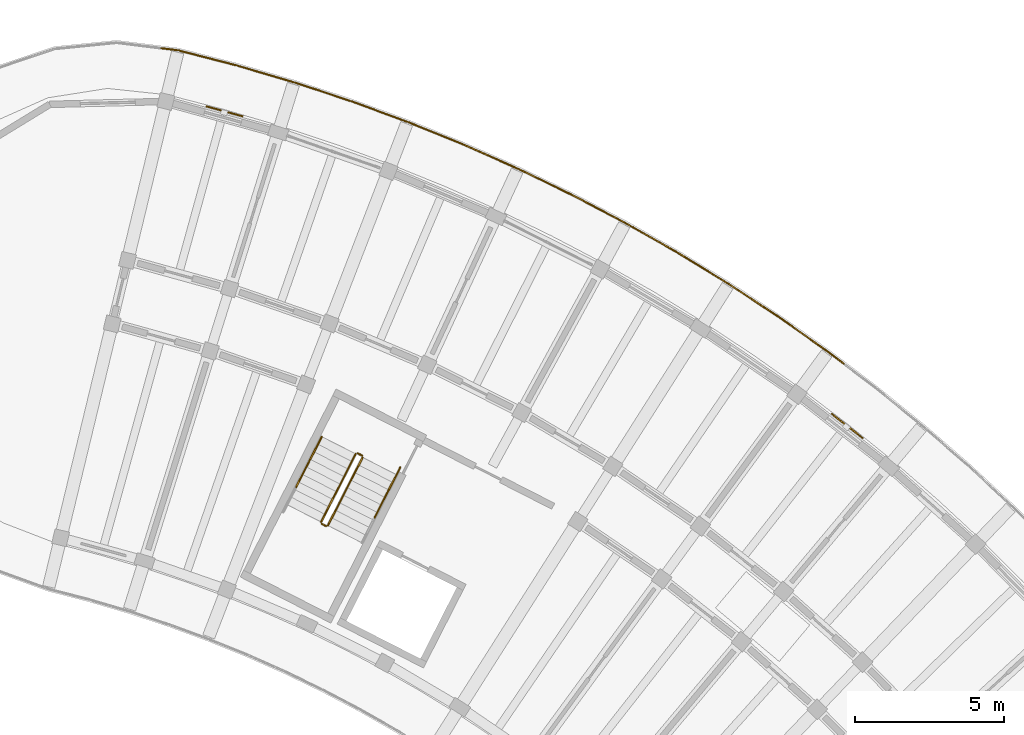
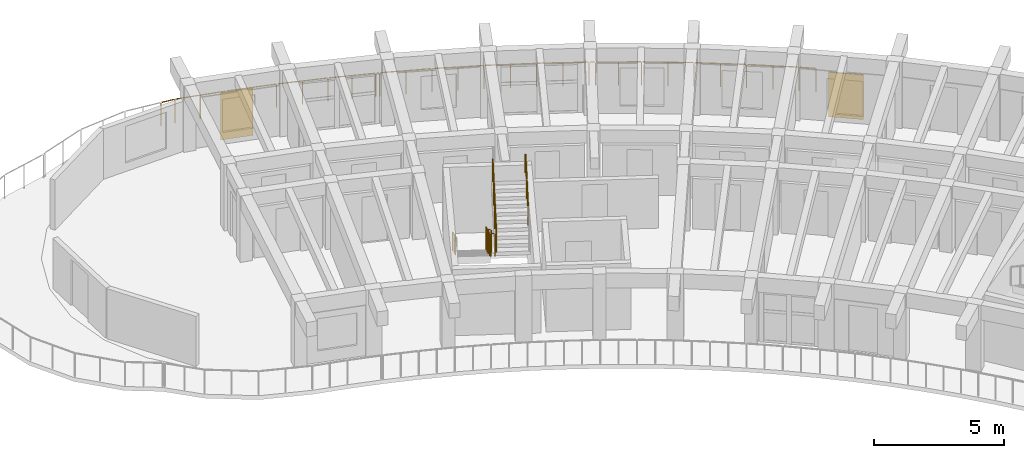
# One storey, part 61 of 62: 11 railings, 2 shading devices.
"""IFC4 building model written with IfcOpenShell, lengths in metres."""

from ifc_helpers import new_model, si_unit, direction, frame, origin, origin_2d, place, context, subcontext, project, spatial, rectangle, circle, extrude, material, layer, layer_set, type_object, element, save


model = new_model("IFC4")

# Units and contexts
model_context = context("Model", 3, precision=1e-05, world=origin(), true_north=direction((0.0, 1.0)))
body_context = subcontext(model_context, "Body", "Model", "MODEL_VIEW")
ifc_project = project(units=[si_unit("LENGTHUNIT", "METRE"), si_unit("AREAUNIT", "SQUARE_METRE"), si_unit("VOLUMEUNIT", "CUBIC_METRE"), si_unit("PLANEANGLEUNIT", "RADIAN"), si_unit("MASSUNIT", "GRAM", prefix="KILO")], contexts=[model_context])

# Site, building, storey
site_placement = place(None, origin())
site = spatial("IfcSite", under=ifc_project, at=site_placement, CompositionType="ELEMENT")
building_placement = place(site_placement, origin())
building = spatial("IfcBuilding", under=site, at=building_placement, Name="Tanwirah Colonnade Gardens", CompositionType="ELEMENT")
storey_placement = place(building_placement, frame((0.0, 0.0, 32.360107421875)))
storey = spatial("IfcBuildingStorey", under=building, at=storey_placement, Name="L09", CompositionType="ELEMENT", Elevation=32.360107421875)

# Railings
ifc_material_1 = material(Name="Precast concrete C40/50", Category="concrete")
railing_type_1 = type_object("IfcRailingType", Name="BAL-EXT112", PredefinedType="BALUSTRADE", material=ifc_material_1)
railing_1_placement = place(storey_placement, frame((134.801513671875, 119.8828125, 0.0)))
element("IfcRailing", 1, at=railing_1_placement, inside=storey, type_object=railing_type_1, Name="Block B L09 Balcony Ribbon Balustrade 10", PredefinedType="BALUSTRADE", context=body_context, shape_type="SweptSolid", body=[
    extrude(circle(Radius=0.02392578125, at=origin_2d()), frame((0.031005859375, -0.00390625, 1.09619140625), z_axis=(0.992245432404, -0.124294013826, 0.0), x_axis=(0.124294013826, 0.992245432404, 0.0)), (0.0, 0.0, 1.0), 0.516845703125),
    extrude(circle(Radius=0.02392578125, at=origin_2d()), frame((0.605224609375, -0.079833984375, 1.09619140625), z_axis=(0.968153485753, -0.250357400578, 0.0), x_axis=(0.250357400578, 0.968153485753, 0.0)), (0.0, 0.0, 1.0), 1.955078125),
    extrude(circle(Radius=0.02392578125, at=origin_2d()), frame((2.558349609375, -0.5859375, 1.09619140625), z_axis=(0.959371271211, -0.282146706477, 0.0), x_axis=(0.282146706477, 0.959371271211, 0.0)), (0.0, 0.0, 1.0), 1.958740234375),
    extrude(circle(Radius=0.02392578125, at=origin_2d()), frame((4.497314453125, -1.1572265625, 1.09619140625), z_axis=(0.949537316482, -0.313654084317, 0.0), x_axis=(0.313654084317, 0.949537316482, 0.0)), (0.0, 0.0, 1.0), 1.958984375),
    extrude(circle(Radius=0.02392578125, at=origin_2d()), frame((6.416259765625, -1.792236328125, 1.09619140625), z_axis=(0.938696628959, -0.344744309279, 0.0), x_axis=(0.344744309279, 0.938696628959, 0.0)), (0.0, 0.0, 1.0), 1.7978515625),
    extrude(circle(Radius=0.02099609375, at=origin_2d()), origin(), (0.0, 0.0, 1.0), 1.069091796875),
    extrude(circle(Radius=0.02099609375, at=origin_2d()), frame((0.574951171875, -0.072021484375, 0.0)), (0.0, 0.0, 1.0), 1.069091796875),
    extrude(circle(Radius=0.02099609375, at=origin_2d()), frame((1.5517578125, -0.32470703125, 0.0)), (0.0, 0.0, 1.0), 1.069091796875),
    extrude(circle(Radius=0.02099609375, at=origin_2d()), frame((2.5283203125, -0.5771484375, 0.0)), (0.0, 0.0, 1.0), 1.069091796875),
    extrude(circle(Radius=0.02099609375, at=origin_2d()), frame((3.498046875, -0.8623046875, 0.0)), (0.0, 0.0, 1.0), 1.069091796875),
    extrude(circle(Radius=0.02099609375, at=origin_2d()), frame((4.467529296875, -1.1474609375, 0.0)), (0.0, 0.0, 1.0), 1.069091796875),
    extrude(circle(Radius=0.02099609375, at=origin_2d()), frame((5.42724609375, -1.46435546875, 0.0)), (0.0, 0.0, 1.0), 1.069091796875),
    extrude(circle(Radius=0.02099609375, at=origin_2d()), frame((6.386962890625, -1.781494140625, 0.0)), (0.0, 0.0, 1.0), 1.069091796875),
    extrude(circle(Radius=0.02099609375, at=origin_2d()), frame((7.26025390625, -2.10205078125, 0.0)), (0.0, 0.0, 1.0), 1.069091796875),
    extrude(circle(Radius=0.02099609375, at=origin_2d()), frame((8.13330078125, -2.4228515625, 0.0)), (0.0, 0.0, 1.0), 1.069091796875),
])
railing_2_placement = place(storey_placement, frame((142.934814453125, 117.4599609375, 0.0)))
element("IfcRailing", 2, at=railing_2_placement, inside=storey, type_object=railing_type_1, Name="Block B L09 Balcony Ribbon Balustrade 11", PredefinedType="BALUSTRADE", context=body_context, shape_type="SweptSolid", body=[
    extrude(circle(Radius=0.02392578125, at=origin_2d()), frame((0.029296875, -0.0107421875, 1.09619140625), z_axis=(0.939039387459, -0.343809582183, 0.0), x_axis=(0.343809582183, 0.939039387459, 0.0)), (0.0, 0.0, 1.0), 0.0986328125),
    extrude(circle(Radius=0.02392578125, at=origin_2d()), frame((0.180419921875, -0.067138671875, 1.09619140625), z_axis=(0.926784720453, -0.375592973757, 0.0), x_axis=(0.375592973757, 0.926784720453, 0.0)), (0.0, 0.0, 1.0), 1.958984375),
    extrude(circle(Radius=0.02392578125, at=origin_2d()), frame((2.053466796875, -0.827392578125, 1.09619140625), z_axis=(0.913950953394, -0.405824660156, 0.0), x_axis=(0.405824660156, 0.913950953394, 0.0)), (0.0, 0.0, 1.0), 1.958740234375),
    extrude(circle(Radius=0.02392578125, at=origin_2d()), frame((3.900390625, -1.648681640625, 1.09619140625), z_axis=(0.900055350621, -0.435775591122, 0.0), x_axis=(0.435775591122, 0.900055350621, 0.0)), (0.0, 0.0, 1.0), 1.958740234375),
    extrude(circle(Radius=0.02392578125, at=origin_2d()), frame((5.71923828125, -2.530517578125, 1.09619140625), z_axis=(0.885211446817, -0.465188880374, 0.0), x_axis=(0.465188880374, 0.885211446817, 0.0)), (0.0, 0.0, 1.0), 1.958984375),
    extrude(circle(Radius=0.02392578125, at=origin_2d()), frame((7.50830078125, -3.4716796875, 1.09619140625), z_axis=(0.869192458809, -0.494473932123, 0.0), x_axis=(0.494473932123, 0.869192458809, 0.0)), (0.0, 0.0, 1.0), 0.190185546875),
    extrude(circle(Radius=0.02099609375, at=origin_2d()), origin(), (0.0, 0.0, 1.0), 1.069091796875),
    extrude(circle(Radius=0.02099609375, at=origin_2d()), frame((0.1513671875, -0.055419921875, 0.0)), (0.0, 0.0, 1.0), 1.069091796875),
    extrude(circle(Radius=0.02099609375, at=origin_2d()), frame((1.088134765625, -0.43505859375, 0.0)), (0.0, 0.0, 1.0), 1.069091796875),
    extrude(circle(Radius=0.02099609375, at=origin_2d()), frame((2.02490234375, -0.814697265625, 0.0)), (0.0, 0.0, 1.0), 1.069091796875),
    extrude(circle(Radius=0.02099609375, at=origin_2d()), frame((2.94873046875, -1.224853515625, 0.0)), (0.0, 0.0, 1.0), 1.069091796875),
    extrude(circle(Radius=0.02099609375, at=origin_2d()), frame((3.872314453125, -1.635009765625, 0.0)), (0.0, 0.0, 1.0), 1.069091796875),
    extrude(circle(Radius=0.02099609375, at=origin_2d()), frame((4.781982421875, -2.075439453125, 0.0)), (0.0, 0.0, 1.0), 1.069091796875),
    extrude(circle(Radius=0.02099609375, at=origin_2d()), frame((5.691650390625, -2.515869140625, 0.0)), (0.0, 0.0, 1.0), 1.069091796875),
    extrude(circle(Radius=0.02099609375, at=origin_2d()), frame((6.58642578125, -2.986083984375, 0.0)), (0.0, 0.0, 1.0), 1.069091796875),
    extrude(circle(Radius=0.02099609375, at=origin_2d()), frame((7.481201171875, -3.456298828125, 0.0)), (0.0, 0.0, 1.0), 1.069091796875),
    extrude(circle(Radius=0.02099609375, at=origin_2d()), frame((7.700927734375, -3.581298828125, 0.0)), (0.0, 0.0, 1.0), 1.069091796875),
])
railing_3_placement = place(storey_placement, frame((150.6357421875, 113.878662109375, 0.0)))
element("IfcRailing", 3, at=railing_3_placement, inside=storey, type_object=railing_type_1, Name="Block B L09 Balcony Ribbon Balustrade 12", PredefinedType="BALUSTRADE", context=body_context, shape_type="SweptSolid", body=[
    extrude(circle(Radius=0.02392578125, at=origin_2d()), frame((0.027099609375, -0.015380859375, 1.09619140625), z_axis=(0.869421517835, -0.494071072139, 0.0), x_axis=(0.494071072139, 0.869421517835, 0.0)), (0.0, 0.0, 1.0), 1.7060546875),
    extrude(circle(Radius=0.02392578125, at=origin_2d()), frame((1.564208984375, -0.89013671875, 1.09619140625), z_axis=(0.852660263329, -0.522465764754, 0.0), x_axis=(0.522465764754, 0.852660263329, 0.0)), (0.0, 0.0, 1.0), 1.958984375),
    extrude(circle(Radius=0.02392578125, at=origin_2d()), frame((3.287353515625, -1.947021484375, 1.09619140625), z_axis=(0.834955682369, -0.550317188973, 0.0), x_axis=(0.550317188973, 0.834955682369, 0.0)), (0.0, 0.0, 1.0), 1.959228515625),
    extrude(circle(Radius=0.02392578125, at=origin_2d()), frame((4.974853515625, -3.060546875, 1.09619140625), z_axis=(0.816344803849, -0.577564854565, 0.0), x_axis=(0.577564854565, 0.816344803849, 0.0)), (0.0, 0.0, 1.0), 1.958740234375),
    extrude(circle(Radius=0.02392578125, at=origin_2d()), frame((6.624267578125, -4.228759765625, 1.09619140625), z_axis=(0.796958639348, -0.604033879157, 0.0), x_axis=(0.604033879157, 0.796958639348, 0.0)), (0.0, 0.0, 1.0), 0.6044921875),
    extrude(circle(Radius=0.02099609375, at=origin_2d()), origin(), (0.0, 0.0, 1.0), 1.069091796875),
    extrude(circle(Radius=0.02099609375, at=origin_2d()), frame((0.768798828125, -0.43701171875, 0.0)), (0.0, 0.0, 1.0), 1.069091796875),
    extrude(circle(Radius=0.02099609375, at=origin_2d()), frame((1.53759765625, -0.873779296875, 0.0)), (0.0, 0.0, 1.0), 1.069091796875),
    extrude(circle(Radius=0.02099609375, at=origin_2d()), frame((2.3994140625, -1.40185546875, 0.0)), (0.0, 0.0, 1.0), 1.069091796875),
    extrude(circle(Radius=0.02099609375, at=origin_2d()), frame((3.26123046875, -1.929931640625, 0.0)), (0.0, 0.0, 1.0), 1.069091796875),
    extrude(circle(Radius=0.02099609375, at=origin_2d()), frame((4.105224609375, -2.486328125, 0.0)), (0.0, 0.0, 1.0), 1.069091796875),
    extrude(circle(Radius=0.02099609375, at=origin_2d()), frame((4.94921875, -3.04248046875, 0.0)), (0.0, 0.0, 1.0), 1.069091796875),
    extrude(circle(Radius=0.02099609375, at=origin_2d()), frame((5.7744140625, -3.626220703125, 0.0)), (0.0, 0.0, 1.0), 1.069091796875),
    extrude(circle(Radius=0.02099609375, at=origin_2d()), frame((6.599365234375, -4.2099609375, 0.0)), (0.0, 0.0, 1.0), 1.069091796875),
    extrude(circle(Radius=0.02099609375, at=origin_2d()), frame((7.130859375, -4.61279296875, 0.0)), (0.0, 0.0, 1.0), 1.069091796875),
])
ifc_material_2 = material(Name="Powder-coated galvanized steel", Category="steel")
railing_type_2 = type_object("IfcRailingType", Name="GRD-ST110", PredefinedType="GUARDRAIL", material=ifc_material_2)
railing_4_placement = place(storey_placement, frame((141.344970703125, 106.230712890625, 0.16796875)))
element("IfcRailing", 4, at=railing_4_placement, inside=storey, type_object=railing_type_2, Name="L09 ST-B2 stair guard 1", PredefinedType="GUARDRAIL", context=body_context, shape_type="SweptSolid", body=[
    extrude(circle(Radius=0.02392578125, at=origin_2d()), frame((-0.01220703125, -0.02392578125, 1.092041015625), z_axis=(-0.3911222872, -0.767567239095, 0.507803003067), x_axis=(0.890993730975, -0.45401560696, 0.0)), (0.0, 0.0, 1.0), 2.9150390625),
    extrude(circle(Radius=0.02099609375, at=origin_2d()), origin(), (0.0, 0.0, 1.0), 1.049072265625),
    extrude(circle(Radius=0.02099609375, at=origin_2d()), frame((-0.38818359375, -0.76171875, 0.50390625)), (0.0, 0.0, 1.0), 1.049072265625),
    extrude(circle(Radius=0.02099609375, at=origin_2d()), frame((-0.7763671875, -1.523681640625, 1.008056640625)), (0.0, 0.0, 1.0), 1.049072265625),
    extrude(circle(Radius=0.02099609375, at=origin_2d()), frame((-1.16455078125, -2.285400390625, 1.511962890625)), (0.0, 0.0, 1.0), 1.049072265625),
])
railing_5_placement = place(storey_placement, frame((140.202392578125, 103.8779296875, 1.679931640625)))
element("IfcRailing", 5, at=railing_5_placement, inside=storey, type_object=railing_type_2, Name="L09 ST-B2 stair guard 2", PredefinedType="GUARDRAIL", context=body_context, shape_type="SweptSolid", body=[
    extrude(circle(Radius=0.02392578125, at=origin_2d()), frame((0.02783203125, -0.01416015625, 1.076171875), z_axis=(0.891353773095, -0.453308340084, 0.0), x_axis=(0.453308340084, 0.891353773095, 0.0)), (0.0, 0.0, 1.0), 0.097412109375),
    extrude(circle(Radius=0.02099609375, at=origin_2d()), origin(), (0.0, 0.0, 1.0), 1.049072265625),
    extrude(circle(Radius=0.02099609375, at=origin_2d()), frame((0.142578125, -0.072509765625, 0.0)), (0.0, 0.0, 1.0), 1.049072265625),
])
railing_6_placement = place(storey_placement, frame((140.412109375, 103.8271484375, 1.847900390625)))
element("IfcRailing", 6, at=railing_6_placement, inside=storey, type_object=railing_type_2, Name="L09 ST-B2 stair guard 3", PredefinedType="GUARDRAIL", context=body_context, shape_type="SweptSolid", body=[
    extrude(circle(Radius=0.02392578125, at=origin_2d()), frame((0.01220703125, 0.02392578125, 1.092041015625), z_axis=(0.3911222872, 0.767567239095, 0.507803003067), x_axis=(-0.890993730975, 0.45401560696, 0.0)), (0.0, 0.0, 1.0), 2.9150390625),
    extrude(circle(Radius=0.02099609375, at=origin_2d()), origin(), (0.0, 0.0, 1.0), 1.049072265625),
    extrude(circle(Radius=0.02099609375, at=origin_2d()), frame((0.38818359375, 0.76171875, 0.50390625)), (0.0, 0.0, 1.0), 1.049072265625),
    extrude(circle(Radius=0.02099609375, at=origin_2d()), frame((0.7763671875, 1.523681640625, 1.008056640625)), (0.0, 0.0, 1.0), 1.049072265625),
    extrude(circle(Radius=0.02099609375, at=origin_2d()), frame((1.16455078125, 2.285400390625, 1.511962890625)), (0.0, 0.0, 1.0), 1.049072265625),
])
railing_7_placement = place(storey_placement, frame((141.412109375, 106.25244140625, 0.0)))
element("IfcRailing", 7, at=railing_7_placement, inside=storey, type_object=railing_type_2, Name="L09 ST-B2 stair guard 4", PredefinedType="GUARDRAIL", context=body_context, shape_type="SweptSolid", body=[
    extrude(circle(Radius=0.02392578125, at=origin_2d()), frame((0.02783203125, -0.01416015625, 1.076171875), z_axis=(0.891353773095, -0.453308340084, 0.0), x_axis=(0.453308340084, 0.891353773095, 0.0)), (0.0, 0.0, 1.0), 0.097412109375),
    extrude(circle(Radius=0.02099609375, at=origin_2d()), origin(), (0.0, 0.0, 1.0), 1.049072265625),
    extrude(circle(Radius=0.02099609375, at=origin_2d()), frame((0.142578125, -0.072509765625, 0.0)), (0.0, 0.0, 1.0), 1.049072265625),
])
ifc_material_3 = material(Name="Brushed bronze stainless steel", Category="steel")
railing_type_3 = type_object("IfcRailingType", Name="HR-ST090", PredefinedType="HANDRAIL", material=ifc_material_3)
railing_8_placement = place(storey_placement, frame((140.204345703125, 106.811767578125, 0.16796875)))
element("IfcRailing", 8, at=railing_8_placement, inside=storey, type_object=railing_type_3, Name="L09 ST-B2 stair handrail 1", PredefinedType="HANDRAIL", context=body_context, shape_type="SweptSolid", body=[
    extrude(circle(Radius=0.02392578125, at=origin_2d()), frame((-0.01220703125, -0.02392578125, 0.891845703125), z_axis=(-0.38993033558, -0.765508761867, 0.511811165275), x_axis=(0.891061070925, -0.453883429839, 0.0)), (0.0, 0.0, 1.0), 1.043212890625),
    extrude(circle(Radius=0.02099609375, at=origin_2d()), origin(), (0.0, 0.0, 1.0), 0.848876953125),
    extrude(circle(Radius=0.02099609375, at=origin_2d()), frame((-0.43115234375, -0.846435546875, 0.56591796875)), (0.0, 0.0, 1.0), 0.848876953125),
])
railing_9_placement = place(storey_placement, frame((139.773193359375, 105.96533203125, 0.73388671875)))
element("IfcRailing", 9, at=railing_9_placement, inside=storey, type_object=railing_type_3, Name="L09 ST-B2 stair handrail 2", PredefinedType="HANDRAIL", context=body_context, shape_type="SweptSolid", body=[
    extrude(circle(Radius=0.02392578125, at=origin_2d()), frame((-0.01220703125, -0.02392578125, 0.891845703125), z_axis=(-0.390117538533, -0.765442844423, 0.51176709356), x_axis=(0.890957114254, -0.454087459154, 0.0)), (0.0, 0.0, 1.0), 1.043212890625),
    extrude(circle(Radius=0.02099609375, at=origin_2d()), origin(), (0.0, 0.0, 1.0), 0.848876953125),
    extrude(circle(Radius=0.02099609375, at=origin_2d()), frame((-0.431396484375, -0.846435546875, 0.56591796875)), (0.0, 0.0, 1.0), 0.848876953125),
])
railing_10_placement = place(storey_placement, frame((141.98388671875, 104.092529296875, 2.413818359375)))
element("IfcRailing", 10, at=railing_10_placement, inside=storey, type_object=railing_type_3, Name="L09 ST-B2 stair handrail 5", PredefinedType="HANDRAIL", context=body_context, shape_type="SweptSolid", body=[
    extrude(circle(Radius=0.02392578125, at=origin_2d()), frame((0.01220703125, 0.02392578125, 0.891845703125), z_axis=(0.390073458003, 0.765356354779, 0.511930022133), x_axis=(-0.890957114254, 0.454087459154, 0.0)), (0.0, 0.0, 1.0), 1.04345703125),
    extrude(circle(Radius=0.02099609375, at=origin_2d()), origin(), (0.0, 0.0, 1.0), 0.848876953125),
    extrude(circle(Radius=0.02099609375, at=origin_2d()), frame((0.431396484375, 0.846435546875, 0.566162109375)), (0.0, 0.0, 1.0), 0.848876953125),
])
railing_11_placement = place(storey_placement, frame((142.415283203125, 104.93896484375, 2.97998046875)))
element("IfcRailing", 11, at=railing_11_placement, inside=storey, type_object=railing_type_3, Name="L09 ST-B2 stair handrail 6", PredefinedType="HANDRAIL", context=body_context, shape_type="SweptSolid", body=[
    extrude(circle(Radius=0.02392578125, at=origin_2d()), frame((0.01220703125, 0.02392578125, 0.891845703125), z_axis=(0.38993033558, 0.765508761867, 0.511811165275), x_axis=(-0.891061070925, 0.453883429839, 0.0)), (0.0, 0.0, 1.0), 1.043212890625),
    extrude(circle(Radius=0.02099609375, at=origin_2d()), origin(), (0.0, 0.0, 1.0), 0.848876953125),
    extrude(circle(Radius=0.02099609375, at=origin_2d()), frame((0.43115234375, 0.846435546875, 0.56591796875)), (0.0, 0.0, 1.0), 0.848876953125),
])

# Shading devices
ifc_material_4 = material(Name="Perforated architectural bronze aluminium", Category="aluminium")
ifc_layer = layer(ifc_material_4, 0.044921875)
ifc_layer_set = layer_set([ifc_layer], Name="Perforated architectural bronze aluminium")
shading_device_type = type_object("IfcShadingDeviceType", Name="SHD-MSH1", PredefinedType="JALOUSIE", material=ifc_layer_set)
shading_device_1_placement = place(storey_placement, frame((157.8818359375, 107.173828125, -0.000244140625), z_axis=(0.0, 0.0, 1.0), x_axis=(-0.786815552397, 0.617188209954, 0.0)))
element("IfcShadingDevice", 12, at=shading_device_1_placement, inside=storey, type_object=shading_device_type, Name="Bronze mashrabiya solar screen B-L09-09", PredefinedType="JALOUSIE", context=body_context, shape_type="SweptSolid", body=[
    extrude(rectangle(XDim=1.35009765625, YDim=0.044921875, at=origin_2d()), origin(), (0.0, 0.0, 1.0), 2.10009765625),
])
shading_device_2_placement = place(storey_placement, frame((136.930908203125, 117.7587890625, 0.0), z_axis=(0.0, 0.0, 1.0), x_axis=(-0.963889235289, 0.266303477436, 0.0)))
element("IfcShadingDevice", 13, at=shading_device_2_placement, inside=storey, type_object=shading_device_type, Name="Bronze mashrabiya solar screen B-L09-15", PredefinedType="JALOUSIE", context=body_context, shape_type="SweptSolid", body=[
    extrude(rectangle(XDim=1.280029296875, YDim=0.044921875, at=origin_2d()), origin(), (0.0, 0.0, 1.0), 2.2099609375),
])

save(model, "model.ifc")
